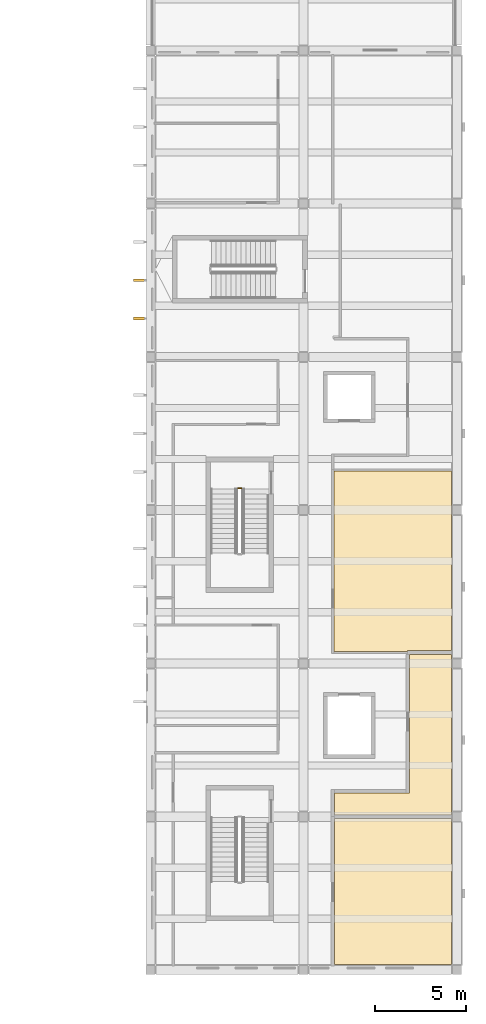
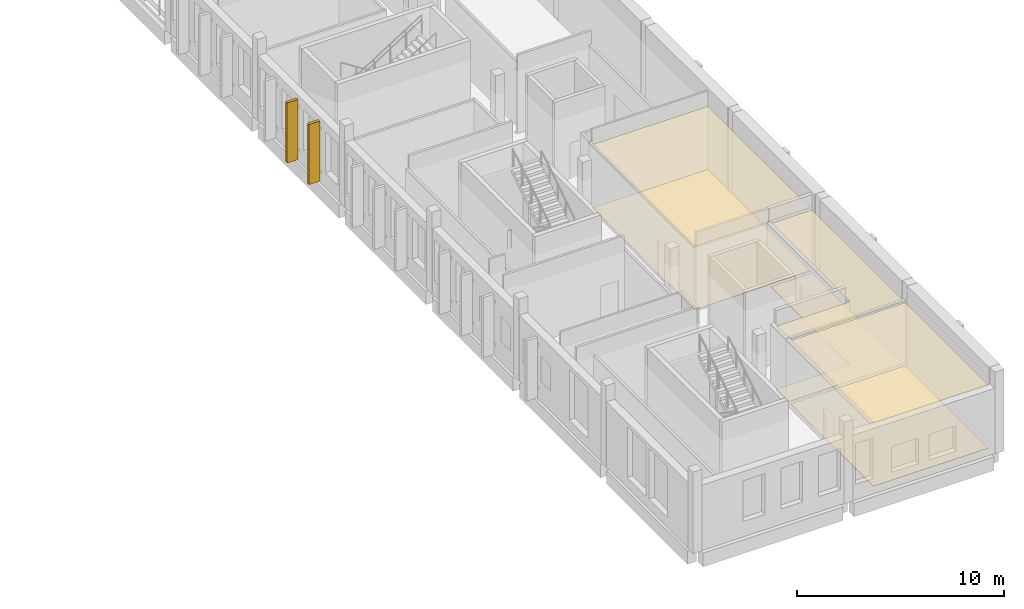
# One storey, part 65 of 79: 8 coverings, 1 railing.
"""IFC4 building model written with IfcOpenShell, lengths in metres."""

import ifcopenshell
import ifcopenshell.guid

model = None  # the IFC model being written
_history = None  # IfcOwnerHistory: only IFC2X3 demands one
_inside = {}  # id of a spatial element -> (the spatial element, [elements in it])
_under = {}  # id of a project, library or spatial element -> (it, [spatial elements below it])
_declared = {}  # id of a project -> (the project, [libraries it declares])
_typed = {}  # id of a type object -> (the type object, [elements of that type])
_made_of = {}  # id of a material, layer set ... -> (it, [elements and type objects made of it])


def new_model(schema):
    """Start an empty IFC model of exactly this schema.

    Asked for "IFC4X3", IfcOpenShell would pick the latest addendum, in which some entities
    have other attributes; the version numbers below select the first issue.
    IFC2X3 requires an IfcOwnerHistory on every rooted entity: one is made here for all.
    """
    global model, _history
    if schema == "IFC4X3":
        model = ifcopenshell.file(schema_version=(4, 3, 0, 0))
    else:
        model = ifcopenshell.file(schema=schema)
    _inside.clear()
    _under.clear()
    _declared.clear()
    _typed.clear()
    _made_of.clear()
    _history = None
    if model.schema == "IFC2X3":
        org = make("IfcOrganization", Name="unknown")
        user = make(
            "IfcPersonAndOrganization",
            ThePerson=make("IfcPerson", FamilyName="unknown"),
            TheOrganization=org,
        )
        app = make(
            "IfcApplication",
            ApplicationDeveloper=org,
            Version="unknown",
            ApplicationFullName="unknown",
            ApplicationIdentifier="unknown",
        )
        _history = make(
            "IfcOwnerHistory",
            OwningUser=user,
            OwningApplication=app,
            ChangeAction="ADDED",
            CreationDate=0,
        )
    return model


def make(cls, **values):
    """One entity of the class cls with the attributes given. An attribute that is None is left unset."""
    return model.create_entity(
        cls, **{name: value for name, value in values.items() if value is not None}
    )


def rooted(cls, **values):
    """An entity with a GlobalId (a new one), such as an element, a storey or a relation."""
    return make(cls, GlobalId=ifcopenshell.guid.new(), OwnerHistory=_history, **values)


def si_unit(unit_type, name, prefix=None):
    """IfcSIUnit, for example si_unit("LENGTHUNIT", "METRE", prefix="MILLI")."""
    return make("IfcSIUnit", UnitType=unit_type, Prefix=prefix, Name=name)


def assignment(units):
    """IfcUnitAssignment: the units of a project."""
    return None if units is None else make("IfcUnitAssignment", Units=units)


def point(xyz):
    """IfcCartesianPoint."""
    return None if xyz is None else make("IfcCartesianPoint", Coordinates=xyz)


def direction(xyz):
    """IfcDirection."""
    return None if xyz is None else make("IfcDirection", DirectionRatios=xyz)


def frame(location, z_axis=None, x_axis=None):
    """IfcAxis2Placement3D, a coordinate frame: its origin and axes. An axis left out is left unset."""
    return make(
        "IfcAxis2Placement3D",
        Location=point(location),
        Axis=direction(z_axis),
        RefDirection=direction(x_axis),
    )


def frame_2d(location, x_axis=None):
    """IfcAxis2Placement2D, a coordinate frame in the plane: its origin and x axis."""
    return make(
        "IfcAxis2Placement2D", Location=point(location), RefDirection=direction(x_axis)
    )


def origin():
    """The frame at (0, 0, 0) with its axes left unset."""
    return frame((0.0, 0.0, 0.0))


def origin_2d():
    """The frame at (0, 0) in the plane with its x axis left unset."""
    return frame_2d((0.0, 0.0))


def place(relative_to, where):
    """IfcLocalPlacement: puts the frame where relative to a parent placement (None: the world)."""
    return make(
        "IfcLocalPlacement", PlacementRelTo=relative_to, RelativePlacement=where
    )


def context(
    kind, dimensions, precision=None, world=None, true_north=None, identifier=None
):
    """IfcGeometricRepresentationContext, for example the 3D "Model" context."""
    return make(
        "IfcGeometricRepresentationContext",
        ContextIdentifier=identifier,
        ContextType=kind,
        CoordinateSpaceDimension=dimensions,
        Precision=precision,
        WorldCoordinateSystem=world,
        TrueNorth=true_north,
    )


def subcontext(parent, identifier, kind, view, scale=None):
    """IfcGeometricRepresentationSubContext, for example "Body" below "Model"."""
    return make(
        "IfcGeometricRepresentationSubContext",
        ContextIdentifier=identifier,
        ContextType=kind,
        ParentContext=parent,
        TargetScale=scale,
        TargetView=view,
    )


def project(units=None, contexts=None):
    """IfcProject with its units and contexts."""
    return rooted(
        "IfcProject",
        Name="project",
        RepresentationContexts=contexts,
        UnitsInContext=assignment(units),
    )


def spatial(cls, under=None, at=None, **own):
    """A site, building, storey or space (cls), placed at a placement, below another one or the project."""
    s = rooted(cls, ObjectPlacement=at, **own)
    if under is not None:
        _under.setdefault(under.id(), (under, []))[1].append(s)
    return s


def polyline(points):
    """IfcPolyline through the points."""
    return make("IfcPolyline", Points=[point(p) for p in points])


def profile(cls, at=None, kind="AREA", **sizes):
    """A parametric profile (cls). Its sizes go by their IFC names, for example OverallWidth=200.0."""
    return make(cls, ProfileType=kind, Position=at, **sizes)


def circle(**sizes):
    """IfcCircleProfileDef."""
    return profile("IfcCircleProfileDef", **sizes)


def outline(outer, holes=None, kind="AREA"):
    """IfcArbitraryClosedProfileDef: a profile drawn as a closed curve; with holes, ...WithVoids."""
    if holes is None:
        return make("IfcArbitraryClosedProfileDef", ProfileType=kind, OuterCurve=outer)
    return make(
        "IfcArbitraryProfileDefWithVoids",
        ProfileType=kind,
        OuterCurve=outer,
        InnerCurves=holes,
    )


def extrude(swept, where, along, depth):
    """IfcExtrudedAreaSolid: the profile swept, set in the frame where, extruded along a direction by depth."""
    return make(
        "IfcExtrudedAreaSolid",
        SweptArea=swept,
        Position=where,
        ExtrudedDirection=direction(along),
        Depth=depth,
    )


def shape(context_of_items, identifier, shape_type, items):
    """IfcShapeRepresentation: the items that make up one representation, for example the "Body"."""
    return make(
        "IfcShapeRepresentation",
        ContextOfItems=context_of_items,
        RepresentationIdentifier=identifier,
        RepresentationType=shape_type,
        Items=items,
    )


def material(Name=None, Category=None):
    """IfcMaterial."""
    return make("IfcMaterial", Name=Name, Category=Category)


def layer(
    of_material, thickness, ventilated=None, Name=None, Category=None, Priority=None
):
    """IfcMaterialLayer: one layer of a wall or slab, of a material (None: an air gap)."""
    return make(
        "IfcMaterialLayer",
        Material=of_material,
        LayerThickness=thickness,
        IsVentilated=ventilated,
        Name=Name,
        Category=Category,
        Priority=Priority,
    )


def layer_set(layers, Name=None):
    """IfcMaterialLayerSet."""
    return make("IfcMaterialLayerSet", MaterialLayers=layers, LayerSetName=Name)


def made_of(thing, what):
    """Note that an element or type object is made of a material, layer set ...; save() writes the relation."""
    if what is not None:
        _made_of.setdefault(what.id(), (what, []))[1].append(thing)
    return thing


def type_object(cls, material=None, **own):
    """A type object (cls), such as IfcWallType, which elements share."""
    return made_of(rooted(cls, **own), material)


def element(
    cls,
    number,
    at=None,
    inside=None,
    cuts=None,
    type_object=None,
    material=None,
    context=None,
    identifier="Body",
    shape_type=None,
    held_by="IfcProductDefinitionShape",
    body=None,
    shapes=None,
    **own,
):
    """One element of the class cls, such as IfcWall. Its Tag is "e" and its number.

    at: its placement. inside: the storey or other place that contains it. cuts: it is an
    opening in that element (IfcRelVoidsElement). A single representation is given by context,
    identifier, shape_type and body (its items); several are given by shapes. held_by: the class
    of the entity that holds the representations. save() writes the other relations.
    """
    e = rooted(cls, Tag="e%d" % number, ObjectPlacement=at, **own)
    if body is not None:
        shapes = [shape(context, identifier, shape_type, body)]
    if shapes is not None:
        e.Representation = make(held_by, Representations=shapes)
    if inside is not None:
        _inside.setdefault(inside.id(), (inside, []))[1].append(e)
    if cuts is not None:
        rooted(
            "IfcRelVoidsElement", RelatingBuildingElement=cuts, RelatedOpeningElement=e
        )
    if type_object is not None:
        _typed.setdefault(type_object.id(), (type_object, []))[1].append(e)
    return made_of(e, material)


def aggregate(whole, parts):
    """IfcRelAggregates: a whole, such as a stair, and the parts it consists of."""
    return rooted("IfcRelAggregates", RelatingObject=whole, RelatedObjects=parts)


def save(model, path):
    """Write the relations noted so far, then the file.

    IfcRelAggregates (storeys below a building ...), IfcRelContainedInSpatialStructure (elements
    in a storey), IfcRelDefinesByType, IfcRelAssociatesMaterial and IfcRelDeclares: one each for
    every whole, place, type object, material and project.
    """
    for whole, parts in _under.values():
        aggregate(whole, parts)
    for where, things in _inside.values():
        rooted(
            "IfcRelContainedInSpatialStructure",
            RelatedElements=things,
            RelatingStructure=where,
        )
    for kind, things in _typed.values():
        rooted("IfcRelDefinesByType", RelatedObjects=things, RelatingType=kind)
    for what, things in _made_of.values():
        rooted("IfcRelAssociatesMaterial", RelatedObjects=things, RelatingMaterial=what)
    for by, libraries in _declared.values():
        rooted("IfcRelDeclares", RelatingContext=by, RelatedDefinitions=libraries)
    model.write(path)


model = new_model("IFC4")

# Units and contexts
model_context = context("Model", 3, precision=1e-05, world=origin(), true_north=direction((0.0, 1.0)))
body_context = subcontext(model_context, "Body", "Model", "MODEL_VIEW")
ifc_project = project(units=[si_unit("LENGTHUNIT", "METRE"), si_unit("AREAUNIT", "SQUARE_METRE"), si_unit("VOLUMEUNIT", "CUBIC_METRE"), si_unit("PLANEANGLEUNIT", "RADIAN"), si_unit("MASSUNIT", "GRAM", prefix="KILO")], contexts=[model_context])

# Site, building, storey
site_placement = place(None, origin())
site = spatial("IfcSite", under=ifc_project, at=site_placement, CompositionType="ELEMENT")
building_placement = place(site_placement, origin())
building = spatial("IfcBuilding", under=site, at=building_placement, Name="Larchfold Concert Hall", CompositionType="ELEMENT")
storey_placement = place(building_placement, frame((0.0, 0.0, 14.39990234375)))
storey = spatial("IfcBuildingStorey", under=building, at=storey_placement, Name="L03", CompositionType="ELEMENT", Elevation=14.39990234375)

# Coverings
ifc_material_1 = material(Name="Plasterboard ceiling lining")
ifc_layer_1 = layer(ifc_material_1, 0.030029296875)
ifc_layer_set_1 = layer_set([ifc_layer_1], Name="Plasterboard ceiling lining")
covering_type_1 = type_object("IfcCoveringType", Name="Ceiling suspended plasterboard 30", PredefinedType="CEILING", material=ifc_layer_set_1)
covering_1_placement = place(storey_placement, frame((0.0, 0.0, 3.710205078125)))
element("IfcCovering", 1, at=covering_1_placement, inside=storey, type_object=covering_type_1, Name="Ceiling Warm-up Room 01", PredefinedType="CEILING", context=body_context, shape_type="SweptSolid", body=[
    extrude(outline(polyline([(101.099853515625, 0.900146484375), (101.099853515625, 8.89990234375), (94.7001953125, 8.89990234375), (94.7001953125, 0.900146484375), (101.099853515625, 0.900146484375)])), origin(), (0.0, 0.0, 1.0), 0.030029296875),
])
covering_2_placement = place(storey_placement, frame((0.0, 0.0, 3.710205078125)))
element("IfcCovering", 2, at=covering_2_placement, inside=storey, type_object=covering_type_1, Name="Ceiling Warm-up Room 02", PredefinedType="CEILING", context=body_context, shape_type="SweptSolid", body=[
    extrude(outline(polyline([(94.7001953125, 10.2998046875), (94.7001953125, 9.10009765625), (101.099853515625, 9.10009765625), (101.099853515625, 17.89990234375), (98.799072265625, 17.89990234375), (98.800048828125, 10.300048828125), (94.7001953125, 10.2998046875)])), origin(), (0.0, 0.0, 1.0), 0.030029296875),
])
covering_3_placement = place(storey_placement, frame((0.0, 0.0, 3.710205078125)))
element("IfcCovering", 3, at=covering_3_placement, inside=storey, type_object=covering_type_1, Name="Ceiling Orchestra Management Office", PredefinedType="CEILING", context=body_context, shape_type="SweptSolid", body=[
    extrude(outline(polyline([(94.6650390625, 28.0), (94.66162109375, 18.0625), (98.698974609375, 18.0625), (98.698974609375, 18.10009765625), (101.099853515625, 18.10009765625), (101.099853515625, 27.949951171875), (94.6650390625, 27.949951171875), (94.6650390625, 28.0)])), origin(), (0.0, 0.0, 1.0), 0.030029296875),
])
ifc_material_2 = material(Name="Linoleum sheet")
ifc_layer_2 = layer(ifc_material_2, 0.02001953125)
ifc_layer_set_2 = layer_set([ifc_layer_2], Name="Linoleum sheet")
covering_type_2 = type_object("IfcCoveringType", Name="Floor finish vinyl 20", PredefinedType="FLOORING", material=ifc_layer_set_2)
covering_4_placement = place(storey_placement, origin())
element("IfcCovering", 4, at=covering_4_placement, inside=storey, type_object=covering_type_2, Name="Floor finish Warm-up Room 01", PredefinedType="FLOORING", context=body_context, shape_type="SweptSolid", body=[
    extrude(outline(polyline([(101.099853515625, 0.900146484375), (101.099853515625, 8.89990234375), (94.7001953125, 8.89990234375), (94.7001953125, 0.900146484375), (101.099853515625, 0.900146484375)])), origin(), (0.0, 0.0, 1.0), 0.02001953125),
])
covering_5_placement = place(storey_placement, origin())
element("IfcCovering", 5, at=covering_5_placement, inside=storey, type_object=covering_type_2, Name="Floor finish Warm-up Room 02", PredefinedType="FLOORING", context=body_context, shape_type="SweptSolid", body=[
    extrude(outline(polyline([(94.7001953125, 10.2998046875), (94.7001953125, 9.10009765625), (101.099853515625, 9.10009765625), (101.099853515625, 17.89990234375), (98.799072265625, 17.89990234375), (98.800048828125, 10.300048828125), (94.7001953125, 10.2998046875)])), origin(), (0.0, 0.0, 1.0), 0.02001953125),
])
covering_6_placement = place(storey_placement, origin())
element("IfcCovering", 6, at=covering_6_placement, inside=storey, type_object=covering_type_2, Name="Floor finish Orchestra Management Office", PredefinedType="FLOORING", context=body_context, shape_type="SweptSolid", body=[
    extrude(outline(polyline([(94.6650390625, 28.0), (94.66162109375, 18.0625), (98.698974609375, 18.0625), (98.698974609375, 18.10009765625), (101.099853515625, 18.10009765625), (101.099853515625, 27.949951171875), (94.6650390625, 27.949951171875), (94.6650390625, 28.0)])), origin(), (0.0, 0.0, 1.0), 0.02001953125),
])
ifc_material_3 = material(Name="Glulam GL30c", Category="wood")
ifc_layer_3 = layer(ifc_material_3, 0.159912109375)
ifc_layer_set_3 = layer_set([ifc_layer_3], Name="Glulam GL30c")
covering_type_3 = type_object("IfcCoveringType", Name="Glulam fin 160x600", PredefinedType="CLADDING", material=ifc_layer_set_3)
covering_7_placement = place(storey_placement, frame((0.0, 0.0, 0.199951171875)))
element("IfcCovering", 7, at=covering_7_placement, inside=storey, type_object=covering_type_3, Name="Glulam fin FN-L03-047", PredefinedType="CLADDING", context=body_context, shape_type="SweptSolid", body=[
    extrude(outline(polyline([(84.275146484375, 36.219970703125), (84.275146484375, 36.3798828125), (83.675048828125, 36.3798828125), (83.675048828125, 36.219970703125), (84.275146484375, 36.219970703125)])), origin(), (0.0, 0.0, 1.0), 3.5400390625),
])
covering_8_placement = place(storey_placement, frame((0.0, 0.0, 0.199951171875)))
element("IfcCovering", 8, at=covering_8_placement, inside=storey, type_object=covering_type_3, Name="Glulam fin FN-L03-048", PredefinedType="CLADDING", context=body_context, shape_type="SweptSolid", body=[
    extrude(outline(polyline([(84.275146484375, 38.320068359375), (84.275146484375, 38.47998046875), (83.675048828125, 38.47998046875), (83.675048828125, 38.320068359375), (84.275146484375, 38.320068359375)])), origin(), (0.0, 0.0, 1.0), 3.5400390625),
])

# Railing
ifc_material_4 = material(Name="Stainless steel balustrade", Category="steel")
railing_type = type_object("IfcRailingType", Name="Stair guard 1100", PredefinedType="GUARDRAIL", material=ifc_material_4)
railing_placement = place(storey_placement, frame((89.39990234375, 27.0, 0.0)))
element("IfcRailing", 9, at=railing_placement, inside=storey, type_object=railing_type, Name="Guard GR0060", PredefinedType="GUARDRAIL", context=body_context, shape_type="SweptSolid", body=[
    extrude(circle(Radius=0.02392578125, at=origin_2d()), frame((0.0, 0.0, 1.076171875), z_axis=(1.0, 0.0, 0.0), x_axis=(0.0, 1.0, 0.0)), (0.0, 0.0, 1.0), 0.199951171875),
    extrude(circle(Radius=0.02099609375, at=origin_2d()), origin(), (0.0, 0.0, 1.0), 1.052001953125),
    extrude(circle(Radius=0.02099609375, at=origin_2d()), frame((0.199951171875, 0.0, 0.0)), (0.0, 0.0, 1.0), 1.052001953125),
])

save(model, "model.ifc")
